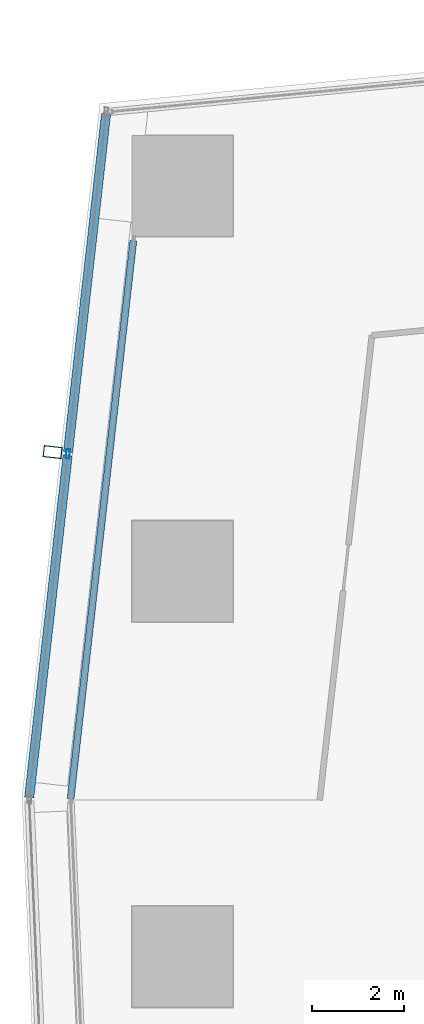
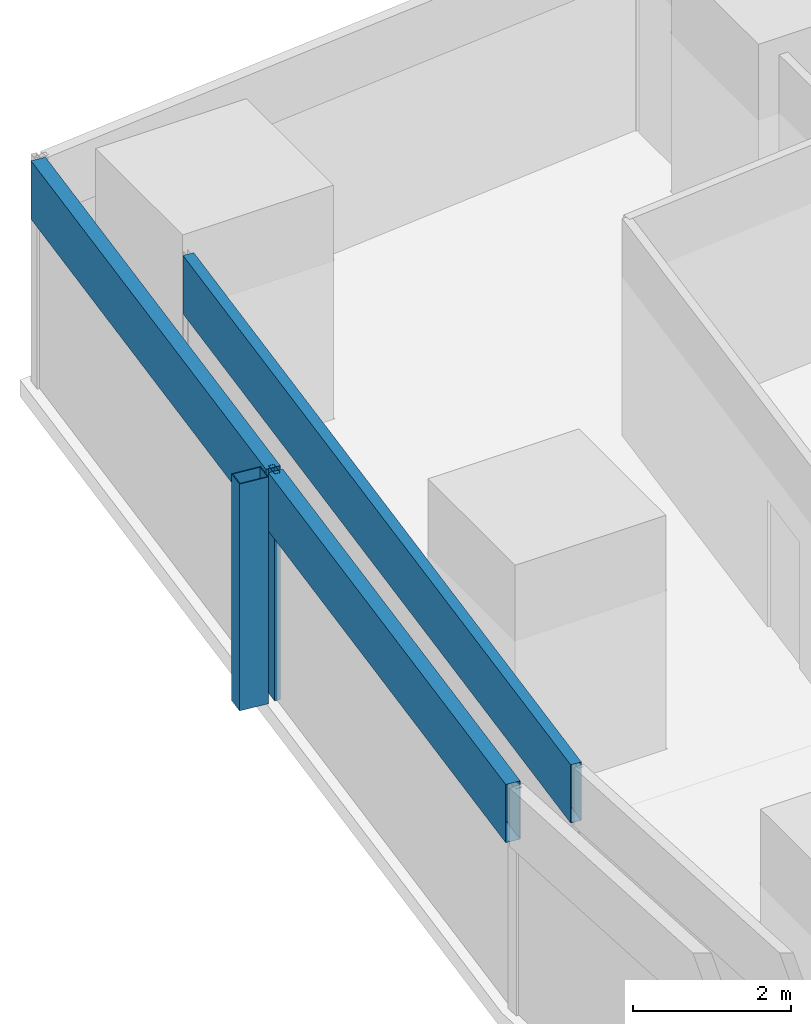
# One storey, part 15 of 44: 5 members, 2 elements without a shape of their own.
"""IFC4 building model written with IfcOpenShell, lengths in metres."""

from ifc_helpers import new_model, si_unit, direction, frame, origin, origin_2d, place, context, subcontext, project, spatial, hollow_rectangle, extrude, material, material_profile, profile_set, type_object, element, aggregate, save


model = new_model("IFC4")

# Units and contexts
model_context = context("Model", 3, precision=1e-05, world=origin(), true_north=direction((0.0, 1.0)))
body_context = subcontext(model_context, "Body", "Model", "MODEL_VIEW")
ifc_project = project(units=[si_unit("LENGTHUNIT", "METRE"), si_unit("AREAUNIT", "SQUARE_METRE"), si_unit("VOLUMEUNIT", "CUBIC_METRE"), si_unit("PLANEANGLEUNIT", "RADIAN"), si_unit("MASSUNIT", "GRAM", prefix="KILO")], contexts=[model_context])

# Site, building, storey
site_placement = place(None, origin())
site = spatial("IfcSite", under=ifc_project, at=site_placement, CompositionType="ELEMENT")
building_placement = place(site_placement, origin())
building = spatial("IfcBuilding", under=site, at=building_placement, Name="Rekha Terrace Tower", CompositionType="ELEMENT")
storey_placement = place(building_placement, frame((0.0, 0.0, 66.64990234375)))
storey = spatial("IfcBuildingStorey", under=building, at=storey_placement, Name="L16", CompositionType="ELEMENT", Elevation=66.64990234375)

# Curtain wall, member
ifc_material_1 = material(Name="Aluminium framing", Category="aluminium")
curtain_wall_type_1 = type_object("IfcCurtainWallType", Name="CW2 double skin outer glazing", PredefinedType="USERDEFINED", material=ifc_material_1)
curtain_wall_1_placement = place(storey_placement, origin())
curtain_wall_1 = element("IfcCurtainWall", 1, at=curtain_wall_1_placement, inside=storey, type_object=curtain_wall_type_1, Name="CW2 double skin outer glazing", ObjectType="DOUBLE SKIN OUTER GLAZING", PredefinedType="USERDEFINED")
ifc_material_2 = material(Name="Steel S355 with fluorocarbon finish", Category="steel")
ifc_material_profile_1 = material_profile(ifc_material_2, hollow_rectangle(XDim=0.25, YDim=0.39990234375, WallThickness=0.012451171875, at=origin_2d()), Name="RHS400x250x12.5")
ifc_profile_set_1 = profile_set([ifc_material_profile_1], Name="Steel S355 with fluorocarbon finish")
member_type_1 = type_object("IfcMemberType", Name="BL1 facade blade RHS 400 x 250", PredefinedType="USERDEFINED", material=ifc_profile_set_1)
member_1_placement = place(storey_placement, frame((5.569580078125, 53.001220703125, 0.0), z_axis=(0.0, 0.0, 1.0), x_axis=(-0.111729096216, -0.993738702607, 0.0)))
member_1 = element("IfcMember", 2, at=member_1_placement, type_object=member_type_1, Name="Facade blade", ObjectType="FACADE BLADE", PredefinedType="USERDEFINED", context=body_context, shape_type="SweptSolid", body=[
    extrude(hollow_rectangle(XDim=0.25, YDim=0.39990234375, WallThickness=0.012451171875, at=origin_2d()), origin(), (0.0, 0.0, 1.0), 3.5),
])

curtain_wall_type_2 = type_object("IfcCurtainWallType", Name="CW1 double skin inner glazing", PredefinedType="USERDEFINED", material=ifc_material_1)
curtain_wall_2_placement = place(storey_placement, origin())
curtain_wall_2 = element("IfcCurtainWall", 3, at=curtain_wall_2_placement, inside=storey, type_object=curtain_wall_type_2, Name="CW1 double skin inner glazing", ObjectType="DOUBLE SKIN INNER GLAZING", PredefinedType="USERDEFINED")
ifc_material_3 = material(Name="Insulated aluminium spandrel box", Category="aluminium")
ifc_material_profile_2 = material_profile(ifc_material_3, hollow_rectangle(XDim=0.14990234375, YDim=0.89990234375, WallThickness=0.0029296875, at=origin_2d()), Name="AL SPANDREL BOX 150x900")
ifc_profile_set_2 = profile_set([ifc_material_profile_2], Name="Insulated aluminium spandrel box")
member_type_2 = type_object("IfcMemberType", Name="CW1 spandrel transom 150 x 900", PredefinedType="USERDEFINED", material=ifc_profile_set_2)
member_2_placement = place(storey_placement, frame((7.33056640625, 57.611083984375, 3.050048828125), z_axis=(-0.111720442276, -0.993739675558, 0.0), x_axis=(0.993739675558, -0.111720442276, 0.0)))
member_2 = element("IfcMember", 4, at=member_2_placement, type_object=member_type_2, Name="CW1 spandrel transom 1", ObjectType="TRANSOM", PredefinedType="USERDEFINED", context=body_context, shape_type="SweptSolid", body=[
    extrude(hollow_rectangle(XDim=0.14990234375, YDim=0.89990234375, WallThickness=0.0029296875, at=origin_2d()), origin(), (0.0, 0.0, 1.0), 12.244140625),
])
aggregate(curtain_wall_2, [member_2])

# Member
ifc_material_4 = material(Name="Aluminium mullion section", Category="aluminium")
ifc_material_profile_3 = material_profile(ifc_material_4, hollow_rectangle(XDim=0.080078125, YDim=0.199951171875, WallThickness=0.00390625, at=origin_2d()), Name="AL RHS 80x200")
ifc_profile_set_3 = profile_set([ifc_material_profile_3], Name="Aluminium mullion section")
member_type_3 = type_object("IfcMemberType", Name="CW2 mullion RHS 80 x 200", PredefinedType="MULLION", material=ifc_profile_set_3)
member_3_placement = place(storey_placement, frame((5.90234375, 52.9638671875, 0.0), z_axis=(0.0, 0.0, 1.0), x_axis=(0.99373861552, -0.111729870782, 0.0)))
member_3 = element("IfcMember", 5, at=member_3_placement, type_object=member_type_3, Name="CW2 mullion 2", PredefinedType="MULLION", context=body_context, shape_type="SweptSolid", body=[
    extrude(hollow_rectangle(XDim=0.080078125, YDim=0.199951171875, WallThickness=0.00390625, at=origin_2d()), origin(), (0.0, 0.0, 1.0), 3.5),
])

ifc_material_profile_4 = material_profile(ifc_material_3, hollow_rectangle(XDim=0.199951171875, YDim=0.89990234375, WallThickness=0.0029296875, at=origin_2d()), Name="AL SPANDREL BOX 200x900")
ifc_profile_set_4 = profile_set([ifc_material_profile_4], Name="Insulated aluminium spandrel box")
member_type_4 = type_object("IfcMemberType", Name="CW2 spandrel transom 200 x 900", PredefinedType="USERDEFINED", material=ifc_profile_set_4)
member_4_placement = place(storey_placement, frame((6.735595703125, 60.37353515625, 3.050048828125), z_axis=(-0.111728537773, -0.993738765394, 0.0), x_axis=(0.993738765394, -0.111728537773, 0.0)))
member_4 = element("IfcMember", 6, at=member_4_placement, type_object=member_type_4, Name="CW2 spandrel transom 1", ObjectType="TRANSOM", PredefinedType="USERDEFINED", context=body_context, shape_type="SweptSolid", body=[
    extrude(hollow_rectangle(XDim=0.199951171875, YDim=0.89990234375, WallThickness=0.0029296875, at=origin_2d()), origin(), (0.0, 0.0, 1.0), 7.416259765625),
])

member_5_placement = place(storey_placement, frame((5.89794921875, 52.924072265625, 3.050048828125), z_axis=(-0.111739697795, -0.993737510582, 0.0), x_axis=(0.993737510582, -0.111739697795, 0.0)))
member_5 = element("IfcMember", 7, at=member_5_placement, type_object=member_type_4, Name="CW2 spandrel transom 2", ObjectType="TRANSOM", PredefinedType="USERDEFINED", context=body_context, shape_type="SweptSolid", body=[
    extrude(hollow_rectangle(XDim=0.199951171875, YDim=0.89990234375, WallThickness=0.0029296875, at=origin_2d()), origin(), (0.0, 0.0, 1.0), 7.496337890625),
])

aggregate(curtain_wall_1, [member_3, member_4, member_5, member_1])

save(model, "model.ifc")
